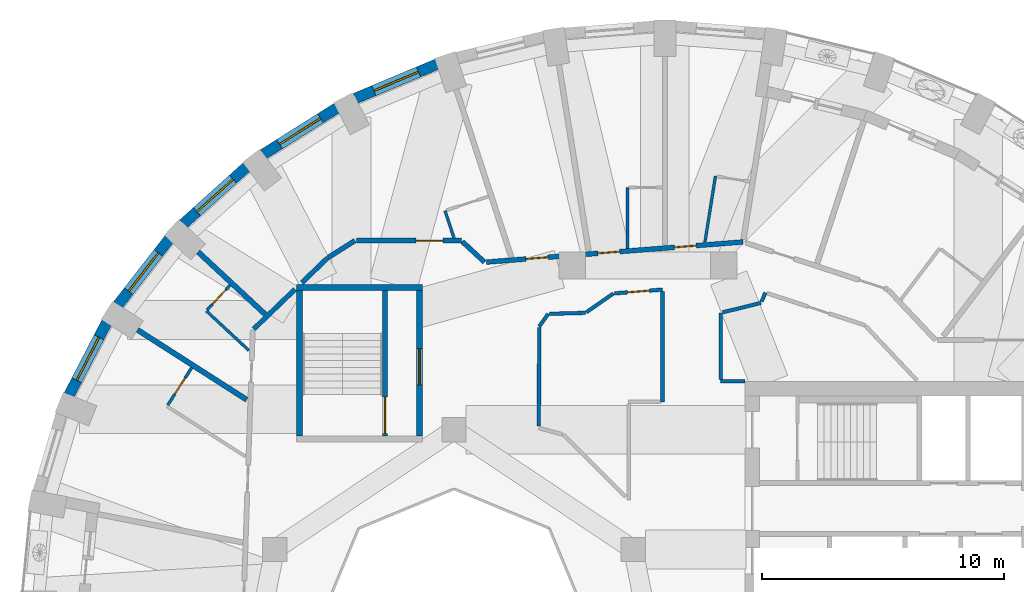
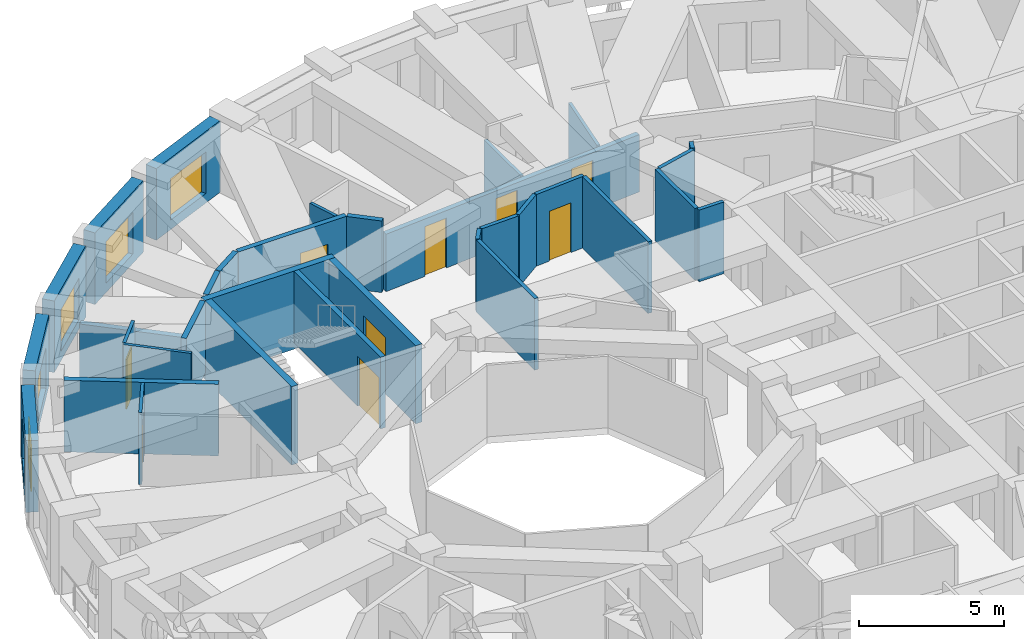
# One storey, part 7 of 12: 33 walls, 9 doors, 5 windows, 14 openings.
"""IFC4 building model written with IfcOpenShell, lengths in metres."""

from ifc_helpers import new_model, si_unit, direction, frame, frame_2d, origin, place, context, subcontext, project, spatial, rectangle, extrude, material, layer, layer_set, type_object, element, fill, save


model = new_model("IFC4")

# Units and contexts
model_context = context("Model", 3, precision=1e-05, world=origin(), true_north=direction((0.0, 1.0)))
body_context = subcontext(model_context, "Body", "Model", "MODEL_VIEW")
ifc_project = project(units=[si_unit("LENGTHUNIT", "METRE"), si_unit("AREAUNIT", "SQUARE_METRE"), si_unit("VOLUMEUNIT", "CUBIC_METRE"), si_unit("PLANEANGLEUNIT", "RADIAN"), si_unit("MASSUNIT", "GRAM", prefix="KILO")], contexts=[model_context])

# Site, building, storey
site_placement = place(None, origin())
site = spatial("IfcSite", under=ifc_project, at=site_placement, CompositionType="ELEMENT")
building_placement = place(site_placement, origin())
building = spatial("IfcBuilding", under=site, at=building_placement, Name="Taillehof Tower", CompositionType="ELEMENT")
storey_placement = place(building_placement, frame((0.0, 0.0, 189.199951171875)))
storey = spatial("IfcBuildingStorey", under=building, at=storey_placement, Name="L53", CompositionType="ELEMENT", Elevation=189.199951171875)

# Wall, opening, window
ifc_material_1 = material(Name="Brick masonry", Category="masonry")
ifc_layer_1 = layer(ifc_material_1, 0.449951171875)
ifc_layer_set_1 = layer_set([ifc_layer_1], Name="Brick infill wall 450")
wall_type_1 = type_object("IfcWallType", Name="Brick infill wall 450", PredefinedType="SOLIDWALL", material=ifc_layer_set_1)
wall_1_placement = place(storey_placement, frame((-8.70263671875, 23.0791015625, 0.0), z_axis=(0.0, 0.0, 1.0), x_axis=(-0.922168222612, -0.386789050006, 0.0)))
wall_1 = element("IfcWall", 1, at=wall_1_placement, inside=storey, type_object=wall_type_1, Name="Brick wall L53 bay 12", PredefinedType="SOLIDWALL", context=body_context, shape_type="SweptSolid", body=[
    extrude(rectangle(XDim=3.65087890625, YDim=0.449951171875, at=frame_2d((1.825439453125, 0.0))), origin(), (0.0, 0.0, 1.0), 3.02001953125),
])
opening_1_placement = place(wall_1_placement, frame((0.825439453125, 0.0, 0.39990234375)))
opening_1 = element("IfcOpeningElement", 2, at=opening_1_placement, cuts=wall_1, Name="Opening W2", PredefinedType="OPENING", context=body_context, shape_type="SweptSolid", body=[
    extrude(rectangle(XDim=2.0, YDim=1.75, at=frame_2d((1.0, 0.875))), frame((0.0, 0.23486328125, 0.0), z_axis=(0.0, -1.0, 0.0), x_axis=(1.0, 0.0, 0.0)), (0.0, 0.0, 1.0), 0.469970703125),
])
ifc_material_2 = material(Name="Aluminium window frame with clear double glazing", Category="aluminium")
window_type = type_object("IfcWindowType", Name="Deep-set window 2000x1750", PartitioningType="SINGLE_PANEL", PredefinedType="WINDOW", material=ifc_material_2)
window_1_placement = place(opening_1_placement, origin())
window_1 = element("IfcWindow", 3, at=window_1_placement, inside=storey, type_object=window_type, Name="W2", OverallHeight=1.75, OverallWidth=2.0, PartitioningType="SINGLE_PANEL", PredefinedType="WINDOW", context=body_context, shape_type="SweptSolid", body=[
    extrude(rectangle(XDim=2.0, YDim=1.75, at=frame_2d((1.0, 0.875))), frame((0.0, 0.034912109375, 0.0), z_axis=(0.0, -1.0, 0.0), x_axis=(1.0, 0.0, 0.0)), (0.0, 0.0, 1.0), 0.06005859375),
])
fill(opening_1, window_1)

wall_2_placement = place(storey_placement, frame((-12.832275390625, 21.27001953125, 0.0), z_axis=(0.0, 0.0, 1.0), x_axis=(-0.846138482752, -0.532963101918, 0.0)))
wall_2 = element("IfcWall", 4, at=wall_2_placement, inside=storey, type_object=wall_type_1, Name="Brick wall L53 bay 13", PredefinedType="SOLIDWALL", context=body_context, shape_type="SweptSolid", body=[
    extrude(rectangle(XDim=3.586669921875, YDim=0.449951171875, at=frame_2d((1.79345703125, 0.0))), origin(), (0.0, 0.0, 1.0), 3.02001953125),
])
opening_2_placement = place(wall_2_placement, frame((0.79345703125, 0.0, 0.39990234375)))
opening_2 = element("IfcOpeningElement", 5, at=opening_2_placement, cuts=wall_2, Name="Opening W2", PredefinedType="OPENING", context=body_context, shape_type="SweptSolid", body=[
    extrude(rectangle(XDim=2.0, YDim=1.75, at=frame_2d((1.0, 0.875))), frame((0.0, 0.23486328125, 0.0), z_axis=(0.0, -1.0, 0.0), x_axis=(1.0, 0.0, 0.0)), (0.0, 0.0, 1.0), 0.469970703125),
])
window_2_placement = place(opening_2_placement, origin())
window_2 = element("IfcWindow", 6, at=window_2_placement, inside=storey, type_object=window_type, Name="W2", OverallHeight=1.75, OverallWidth=2.0, PartitioningType="SINGLE_PANEL", PredefinedType="WINDOW", context=body_context, shape_type="SweptSolid", body=[
    extrude(rectangle(XDim=2.0, YDim=1.75, at=frame_2d((1.0, 0.875))), frame((0.0, 0.034912109375, 0.0), z_axis=(0.0, -1.0, 0.0), x_axis=(1.0, 0.0, 0.0)), (0.0, 0.0, 1.0), 0.06005859375),
])
fill(opening_2, window_2)

wall_3_placement = place(storey_placement, frame((-16.553466796875, 18.83984375, 0.0), z_axis=(0.0, 0.0, 1.0), x_axis=(-0.743442727602, -0.668799604348, 0.0)))
wall_3 = element("IfcWall", 7, at=wall_3_placement, inside=storey, type_object=wall_type_1, Name="Brick wall L53 bay 14", PredefinedType="SOLIDWALL", context=body_context, shape_type="SweptSolid", body=[
    extrude(rectangle(XDim=3.5126953125, YDim=0.449951171875, at=frame_2d((1.75634765625, 0.0))), origin(), (0.0, 0.0, 1.0), 3.02001953125),
])
opening_3_placement = place(wall_3_placement, frame((0.75634765625, 0.0, 0.39990234375)))
opening_3 = element("IfcOpeningElement", 8, at=opening_3_placement, cuts=wall_3, Name="Opening W2", PredefinedType="OPENING", context=body_context, shape_type="SweptSolid", body=[
    extrude(rectangle(XDim=2.0, YDim=1.75, at=frame_2d((1.0, 0.875))), frame((0.0, 0.23486328125, 0.0), z_axis=(0.0, -1.0, 0.0), x_axis=(1.0, 0.0, 0.0)), (0.0, 0.0, 1.0), 0.469970703125),
])
window_3_placement = place(opening_3_placement, origin())
window_3 = element("IfcWindow", 9, at=window_3_placement, inside=storey, type_object=window_type, Name="W2", OverallHeight=1.75, OverallWidth=2.0, PartitioningType="SINGLE_PANEL", PredefinedType="WINDOW", context=body_context, shape_type="SweptSolid", body=[
    extrude(rectangle(XDim=2.0, YDim=1.75, at=frame_2d((1.0, 0.875))), frame((0.0, 0.034912109375, 0.0), z_axis=(0.0, -1.0, 0.0), x_axis=(1.0, 0.0, 0.0)), (0.0, 0.0, 1.0), 0.06005859375),
])
fill(opening_3, window_3)

wall_4_placement = place(storey_placement, frame((-19.751220703125, 15.861083984375, 0.0), z_axis=(0.0, 0.0, 1.0), x_axis=(-0.614220816451, -0.789134201919, 0.0)))
wall_4 = element("IfcWall", 10, at=wall_4_placement, inside=storey, type_object=wall_type_1, Name="Brick wall L53 bay 15", PredefinedType="SOLIDWALL", context=body_context, shape_type="SweptSolid", body=[
    extrude(rectangle(XDim=3.437744140625, YDim=0.449951171875, at=frame_2d((1.71875, 0.0))), origin(), (0.0, 0.0, 1.0), 3.02001953125),
])
opening_4_placement = place(wall_4_placement, frame((0.71875, 0.0, 0.39990234375)))
opening_4 = element("IfcOpeningElement", 11, at=opening_4_placement, cuts=wall_4, Name="Opening W2", PredefinedType="OPENING", context=body_context, shape_type="SweptSolid", body=[
    extrude(rectangle(XDim=2.0, YDim=1.75, at=frame_2d((1.0, 0.875))), frame((0.0, 0.23486328125, 0.0), z_axis=(0.0, -1.0, 0.0), x_axis=(1.0, 0.0, 0.0)), (0.0, 0.0, 1.0), 0.469970703125),
])
window_4_placement = place(opening_4_placement, origin())
window_4 = element("IfcWindow", 12, at=window_4_placement, inside=storey, type_object=window_type, Name="W2", OverallHeight=1.75, OverallWidth=2.0, PartitioningType="SINGLE_PANEL", PredefinedType="WINDOW", context=body_context, shape_type="SweptSolid", body=[
    extrude(rectangle(XDim=2.0, YDim=1.75, at=frame_2d((1.0, 0.875))), frame((0.0, 0.034912109375, 0.0), z_axis=(0.0, -1.0, 0.0), x_axis=(1.0, 0.0, 0.0)), (0.0, 0.0, 1.0), 0.06005859375),
])
fill(opening_4, window_4)

wall_5_placement = place(storey_placement, frame((-22.326904296875, 12.424072265625, 0.0), z_axis=(0.0, 0.0, 1.0), x_axis=(-0.460232593174, -0.887798378113, 0.0)))
wall_5 = element("IfcWall", 13, at=wall_5_placement, inside=storey, type_object=wall_type_1, Name="Brick wall L53 bay 16", PredefinedType="SOLIDWALL", context=body_context, shape_type="SweptSolid", body=[
    extrude(rectangle(XDim=3.37060546875, YDim=0.449951171875, at=frame_2d((1.685302734375, 0.0))), origin(), (0.0, 0.0, 1.0), 3.02001953125),
])
opening_5_placement = place(wall_5_placement, frame((0.685302734375, 0.0, 0.39990234375)))
opening_5 = element("IfcOpeningElement", 14, at=opening_5_placement, cuts=wall_5, Name="Opening W2", PredefinedType="OPENING", context=body_context, shape_type="SweptSolid", body=[
    extrude(rectangle(XDim=2.0, YDim=1.75, at=frame_2d((1.0, 0.875))), frame((0.0, 0.23486328125, 0.0), z_axis=(0.0, -1.0, 0.0), x_axis=(1.0, 0.0, 0.0)), (0.0, 0.0, 1.0), 0.469970703125),
])
window_5_placement = place(opening_5_placement, origin())
window_5 = element("IfcWindow", 15, at=window_5_placement, inside=storey, type_object=window_type, Name="W2", OverallHeight=1.75, OverallWidth=2.0, PartitioningType="SINGLE_PANEL", PredefinedType="WINDOW", context=body_context, shape_type="SweptSolid", body=[
    extrude(rectangle(XDim=2.0, YDim=1.75, at=frame_2d((1.0, 0.875))), frame((0.0, 0.034912109375, 0.0), z_axis=(0.0, -1.0, 0.0), x_axis=(1.0, 0.0, 0.0)), (0.0, 0.0, 1.0), 0.06005859375),
])
fill(opening_5, window_5)

# Walls
ifc_material_3 = material(Name="Gypsum board on steel studs, two layers each side", Category="steel")
ifc_layer_2 = layer(ifc_material_3, 0.199951171875)
ifc_layer_set_2 = layer_set([ifc_layer_2], Name="Compartment wall corridor 200")
wall_type_2 = type_object("IfcWallType", Name="Compartment wall corridor 200", PredefinedType="PARTITIONING", material=ifc_layer_set_2)
wall_6_placement = place(storey_placement, frame((-16.2568359375, 12.15673828125, 0.0), z_axis=(0.0, 0.0, 1.0), x_axis=(0.720356671174, 0.693603825174, 0.0)))
element("IfcWall", 16, at=wall_6_placement, inside=storey, type_object=wall_type_2, Name="Compartment wall", PredefinedType="PARTITIONING", context=body_context, shape_type="SweptSolid", body=[
    extrude(rectangle(XDim=2.3544921875, YDim=0.199951171875, at=frame_2d((1.17724609375, 0.0))), origin(), (0.0, 0.0, 1.0), 3.02001953125),
])
wall_7_placement = place(storey_placement, frame((-14.27783203125, 14.062255859375, 0.0), z_axis=(0.0, 0.0, 1.0), x_axis=(0.720213092954, 0.693752910435, 0.0)))
element("IfcWall", 17, at=wall_7_placement, inside=storey, type_object=wall_type_2, Name="Compartment wall", PredefinedType="PARTITIONING", context=body_context, shape_type="SweptSolid", body=[
    extrude(rectangle(XDim=1.476318359375, YDim=0.199951171875, at=frame_2d((0.73828125, 0.0))), origin(), (0.0, 0.0, 1.0), 3.02001953125),
])
wall_8_placement = place(storey_placement, frame((-13.19775390625, 15.09716796875, 0.0), z_axis=(0.0, 0.0, 1.0), x_axis=(0.845466863805, 0.534027885234, 0.0)))
element("IfcWall", 18, at=wall_8_placement, inside=storey, type_object=wall_type_2, Name="Compartment wall", PredefinedType="PARTITIONING", context=body_context, shape_type="SweptSolid", body=[
    extrude(rectangle(XDim=1.316162109375, YDim=0.199951171875, at=frame_2d((0.658203125, 0.0))), origin(), (0.0, 0.0, 1.0), 3.02001953125),
])

# Wall, opening, door
wall_9_placement = place(storey_placement, frame((-12.02490234375, 15.800048828125, 0.0), z_axis=(0.0, 0.0, 1.0), x_axis=(1.0, 0.0, 0.0)))
wall_9 = element("IfcWall", 19, at=wall_9_placement, inside=storey, type_object=wall_type_2, Name="Compartment wall", PredefinedType="PARTITIONING", context=body_context, shape_type="SweptSolid", body=[
    extrude(rectangle(XDim=4.324951171875, YDim=0.199951171875, at=frame_2d((2.16259765625, 0.0))), origin(), (0.0, 0.0, 1.0), 3.02001953125),
])
opening_6_placement = place(wall_9_placement, frame((2.46142578125, 0.0, 0.0)))
opening_6 = element("IfcOpeningElement", 20, at=opening_6_placement, cuts=wall_9, Name="Opening D5348", PredefinedType="OPENING", context=body_context, shape_type="SweptSolid", body=[
    extrude(rectangle(XDim=1.10009765625, YDim=2.10009765625, at=frame_2d((0.550048828125, 1.050048828125))), frame((0.0, 0.10986328125, 0.0), z_axis=(0.0, -1.0, 0.0), x_axis=(1.0, 0.0, 0.0)), (0.0, 0.0, 1.0), 0.219970703125),
])
ifc_material_4 = material(Name="Timber door leaf in steel frame", Category="steel")
door_type_1 = type_object("IfcDoorType", Name="Suite entrance door EI 30 1100 x 2100", OperationType="SINGLE_SWING_LEFT", PredefinedType="DOOR", material=ifc_material_4)
door_1_placement = place(opening_6_placement, origin())
door_1 = element("IfcDoor", 21, at=door_1_placement, inside=storey, type_object=door_type_1, Name="D5348", OperationType="SINGLE_SWING_RIGHT", OverallHeight=2.10009765625, OverallWidth=1.10009765625, PredefinedType="DOOR", context=body_context, shape_type="SweptSolid", body=[
    extrude(rectangle(XDim=1.10009765625, YDim=2.10009765625, at=frame_2d((0.550048828125, 1.050048828125))), frame((0.0, 0.02490234375, 0.0), z_axis=(0.0, -1.0, 0.0), x_axis=(1.0, 0.0, 0.0)), (0.0, 0.0, 1.0), 0.050048828125),
])
fill(opening_6, door_1)

# Wall
wall_10_placement = place(storey_placement, frame((-7.656005859375, 15.759033203125, 0.0), z_axis=(0.0, 0.0, 1.0), x_axis=(0.734444455547, -0.678668801196, 0.0)))
element("IfcWall", 22, at=wall_10_placement, inside=storey, type_object=wall_type_2, Name="Compartment wall", PredefinedType="PARTITIONING", context=body_context, shape_type="SweptSolid", body=[
    extrude(rectangle(XDim=1.251953125, YDim=0.199951171875, at=frame_2d((0.6259765625, 0.0))), origin(), (0.0, 0.0, 1.0), 3.02001953125),
])

# Wall, openings, doors
wall_11_placement = place(storey_placement, frame((-6.656494140625, 14.915283203125, 0.0), z_axis=(0.0, 0.0, 1.0), x_axis=(0.99693112817, 0.07828362335, 0.0)))
wall_11 = element("IfcWall", 23, at=wall_11_placement, inside=storey, type_object=wall_type_2, Name="Compartment wall", PredefinedType="PARTITIONING", context=body_context, shape_type="SweptSolid", body=[
    extrude(rectangle(XDim=10.609619140625, YDim=0.199951171875, at=frame_2d((5.3046875, 0.0))), origin(), (0.0, 0.0, 1.0), 2.420166015625),
])
opening_7_placement = place(wall_11_placement, frame((7.773193359375, 0.0, 0.0)))
opening_7 = element("IfcOpeningElement", 24, at=opening_7_placement, cuts=wall_11, Name="Opening D5343", PredefinedType="OPENING", context=body_context, shape_type="SweptSolid", body=[
    extrude(rectangle(XDim=0.89990234375, YDim=2.10009765625, at=frame_2d((0.449951171875, 1.050048828125))), frame((0.0, 0.10986328125, 0.0), z_axis=(0.0, -1.0, 0.0), x_axis=(1.0, 0.0, 0.0)), (0.0, 0.0, 1.0), 0.219970703125),
])
opening_8_placement = place(wall_11_placement, frame((4.607666015625, 0.0, 0.0)))
opening_8 = element("IfcOpeningElement", 25, at=opening_8_placement, cuts=wall_11, Name="Opening D5345", PredefinedType="OPENING", context=body_context, shape_type="SweptSolid", body=[
    extrude(rectangle(XDim=0.89990234375, YDim=2.10009765625, at=frame_2d((0.449951171875, 1.050048828125))), frame((0.0, 0.10986328125, 0.0), z_axis=(0.0, -1.0, 0.0), x_axis=(1.0, 0.0, 0.0)), (0.0, 0.0, 1.0), 0.219970703125),
])
opening_9_placement = place(wall_11_placement, frame((1.6318359375, 0.0, 0.0)))
opening_9 = element("IfcOpeningElement", 26, at=opening_9_placement, cuts=wall_11, Name="Opening D5347", PredefinedType="OPENING", context=body_context, shape_type="SweptSolid", body=[
    extrude(rectangle(XDim=0.89990234375, YDim=2.10009765625, at=frame_2d((0.449951171875, 1.050048828125))), frame((0.0, 0.10986328125, 0.0), z_axis=(0.0, -1.0, 0.0), x_axis=(1.0, 0.0, 0.0)), (0.0, 0.0, 1.0), 0.219970703125),
])
ifc_material_5 = material(Name="Timber door leaf in steel frame", Category="steel")
door_type_2 = type_object("IfcDoorType", Name="Guest room door EI 30 900 x 2100", OperationType="SINGLE_SWING_LEFT", PredefinedType="DOOR", material=ifc_material_5)
door_2_placement = place(opening_7_placement, origin())
door_2 = element("IfcDoor", 27, at=door_2_placement, inside=storey, type_object=door_type_2, Name="D5343", OperationType="SINGLE_SWING_RIGHT", OverallHeight=2.10009765625, OverallWidth=0.89990234375, PredefinedType="DOOR", context=body_context, shape_type="SweptSolid", body=[
    extrude(rectangle(XDim=0.89990234375, YDim=2.10009765625, at=frame_2d((0.449951171875, 1.050048828125))), frame((0.0, 0.02490234375, 0.0), z_axis=(0.0, -1.0, 0.0), x_axis=(1.0, 0.0, 0.0)), (0.0, 0.0, 1.0), 0.050048828125),
])
fill(opening_7, door_2)
door_3_placement = place(opening_8_placement, origin())
door_3 = element("IfcDoor", 28, at=door_3_placement, inside=storey, type_object=door_type_2, Name="D5345", OperationType="SINGLE_SWING_RIGHT", OverallHeight=2.10009765625, OverallWidth=0.89990234375, PredefinedType="DOOR", context=body_context, shape_type="SweptSolid", body=[
    extrude(rectangle(XDim=0.89990234375, YDim=2.10009765625, at=frame_2d((0.449951171875, 1.050048828125))), frame((0.0, 0.02490234375, 0.0), z_axis=(0.0, -1.0, 0.0), x_axis=(1.0, 0.0, 0.0)), (0.0, 0.0, 1.0), 0.050048828125),
])
fill(opening_8, door_3)
ifc_material_6 = material(Name="Timber door leaf in steel frame", Category="steel")
door_type_3 = type_object("IfcDoorType", Name="Service room door EI 30 900 x 2100", OperationType="SINGLE_SWING_LEFT", PredefinedType="DOOR", material=ifc_material_6)
door_4_placement = place(opening_9_placement, origin())
door_4 = element("IfcDoor", 29, at=door_4_placement, inside=storey, type_object=door_type_3, Name="D5347", OperationType="SINGLE_SWING_LEFT", OverallHeight=2.10009765625, OverallWidth=0.89990234375, PredefinedType="DOOR", context=body_context, shape_type="SweptSolid", body=[
    extrude(rectangle(XDim=0.89990234375, YDim=2.10009765625, at=frame_2d((0.449951171875, 1.050048828125))), frame((0.0, 0.02490234375, 0.0), z_axis=(0.0, -1.0, 0.0), x_axis=(1.0, 0.0, 0.0)), (0.0, 0.0, 1.0), 0.050048828125),
])
fill(opening_9, door_4)

# Walls
ifc_material_7 = material(Name="Gypsum board on double steel studs with mineral wool", Category="steel")
ifc_layer_3 = layer(ifc_material_7, 0.219970703125)
ifc_layer_set_3 = layer_set([ifc_layer_3], Name="Compartment wall guest room 220")
wall_type_3 = type_object("IfcWallType", Name="Compartment wall guest room 220", PredefinedType="PARTITIONING", material=ifc_layer_set_3)
wall_12_placement = place(storey_placement, frame((-18.552978515625, 15.333984375, 0.0), z_axis=(0.0, 0.0, 1.0), x_axis=(0.732303975018, -0.680977891105, 0.0)))
element("IfcWall", 30, at=wall_12_placement, inside=storey, type_object=wall_type_3, Name="Compartment wall", PredefinedType="PARTITIONING", context=body_context, shape_type="SweptSolid", body=[
    extrude(rectangle(XDim=3.767333984375, YDim=0.219970703125, at=frame_2d((1.8837890625, 0.0))), origin(), (0.0, 0.0, 1.0), 2.570068359375),
])
wall_13_placement = place(storey_placement, frame((-21.054931640625, 12.120849609375, 0.0), z_axis=(0.0, 0.0, 1.0), x_axis=(0.842281345898, -0.539038156675, 0.0)))
element("IfcWall", 31, at=wall_13_placement, inside=storey, type_object=wall_type_3, Name="Compartment wall", PredefinedType="PARTITIONING", context=body_context, shape_type="SweptSolid", body=[
    extrude(rectangle(XDim=5.349853515625, YDim=0.219970703125, at=frame_2d((2.6748046875, 0.0))), origin(), (0.0, 0.0, 1.0), 3.02001953125),
])
ifc_material_8 = material(Name="Gypsum board on steel studs, two layers each side", Category="steel")
ifc_layer_4 = layer(ifc_material_8, 0.14990234375)
ifc_layer_set_4 = layer_set([ifc_layer_4], Name="Compartment wall service room 150")
wall_type_4 = type_object("IfcWallType", Name="Compartment wall service room 150", PredefinedType="PARTITIONING", material=ifc_layer_set_4)
wall_14_placement = place(storey_placement, frame((4.0009765625, 10.0, 0.0), z_axis=(0.0, 0.0, 1.0), x_axis=(-1.0, 0.0, 0.0)))
element("IfcWall", 32, at=wall_14_placement, inside=storey, type_object=wall_type_4, Name="Compartment wall", PredefinedType="PARTITIONING", context=body_context, shape_type="SweptSolid", body=[
    extrude(rectangle(XDim=1.0009765625, YDim=0.14990234375, at=frame_2d((0.50048828125, 0.0))), origin(), (0.0, 0.0, 1.0), 3.02001953125),
])
wall_15_placement = place(storey_placement, frame((3.0, 10.080078125, 0.0), z_axis=(0.0, 0.0, 1.0), x_axis=(0.0, 1.0, 0.0)))
element("IfcWall", 33, at=wall_15_placement, inside=storey, type_object=wall_type_4, Name="Compartment wall", PredefinedType="PARTITIONING", context=body_context, shape_type="SweptSolid", body=[
    extrude(rectangle(XDim=2.741943359375, YDim=0.14990234375, at=frame_2d((1.37109375, 0.0))), origin(), (0.0, 0.0, 1.0), 3.02001953125),
])
wall_16_placement = place(storey_placement, frame((3.078125, 12.841552734375, 0.0), z_axis=(0.0, 0.0, 1.0), x_axis=(0.9710404657, 0.238915076906, 0.0)))
element("IfcWall", 34, at=wall_16_placement, inside=storey, type_object=wall_type_4, Name="Compartment wall", PredefinedType="PARTITIONING", context=body_context, shape_type="SweptSolid", body=[
    extrude(rectangle(XDim=1.635009765625, YDim=0.14990234375, at=frame_2d((0.8173828125, 0.0))), origin(), (0.0, 0.0, 1.0), 3.02001953125),
])
wall_17_placement = place(storey_placement, frame((4.6884765625, 13.287841796875, 0.0), z_axis=(0.0, 0.0, 1.0), x_axis=(0.38330857492, 0.923620342128, 0.0)))
element("IfcWall", 35, at=wall_17_placement, inside=storey, type_object=wall_type_4, Name="Compartment wall", PredefinedType="PARTITIONING", context=body_context, shape_type="SweptSolid", body=[
    extrude(rectangle(XDim=0.398193359375, YDim=0.14990234375, at=frame_2d((0.19921875, 0.0))), origin(), (0.0, 0.0, 1.0), 3.02001953125),
])
wall_18_placement = place(storey_placement, frame((-4.487060546875, 12.257568359375, 0.0), z_axis=(0.0, 0.0, 1.0), x_axis=(0.582280364551, 0.812988054684, 0.0)))
element("IfcWall", 36, at=wall_18_placement, inside=storey, type_object=wall_type_4, Name="Compartment wall", PredefinedType="PARTITIONING", context=body_context, shape_type="SweptSolid", body=[
    extrude(rectangle(XDim=0.642333984375, YDim=0.14990234375, at=frame_2d((0.3212890625, 0.0))), origin(), (0.0, 0.0, 1.0), 3.02001953125),
])
wall_19_placement = place(storey_placement, frame((-4.052978515625, 12.78125, 0.0), z_axis=(0.0, 0.0, 1.0), x_axis=(0.999619372091, 0.027588239157, 0.0)))
element("IfcWall", 37, at=wall_19_placement, inside=storey, type_object=wall_type_4, Name="Compartment wall", PredefinedType="PARTITIONING", context=body_context, shape_type="SweptSolid", body=[
    extrude(rectangle(XDim=1.477783203125, YDim=0.14990234375, at=frame_2d((0.73876953125, 0.0))), origin(), (0.0, 0.0, 1.0), 3.02001953125),
])
wall_20_placement = place(storey_placement, frame((-2.54296875, 12.844970703125, 0.0), z_axis=(0.0, 0.0, 1.0), x_axis=(0.821558970312, 0.570123546523, 0.0)))
element("IfcWall", 38, at=wall_20_placement, inside=storey, type_object=wall_type_4, Name="Compartment wall", PredefinedType="PARTITIONING", context=body_context, shape_type="SweptSolid", body=[
    extrude(rectangle(XDim=1.361328125, YDim=0.14990234375, at=frame_2d((0.6806640625, 0.0))), origin(), (0.0, 0.0, 1.0), 3.02001953125),
])

# Wall, opening, door
wall_21_placement = place(storey_placement, frame((-1.384521484375, 13.6240234375, 0.0), z_axis=(0.0, 0.0, 1.0), x_axis=(0.996924678821, 0.078365711621, 0.0)))
wall_21 = element("IfcWall", 39, at=wall_21_placement, inside=storey, type_object=wall_type_4, Name="Compartment wall", PredefinedType="PARTITIONING", context=body_context, shape_type="SweptSolid", body=[
    extrude(rectangle(XDim=1.99072265625, YDim=0.14990234375, at=frame_2d((0.995361328125, 0.0))), origin(), (0.0, 0.0, 1.0), 3.02001953125),
])
opening_10_placement = place(wall_21_placement, frame((0.54541015625, 0.0, 0.0)))
opening_10 = element("IfcOpeningElement", 40, at=opening_10_placement, cuts=wall_21, Name="Opening D5372", PredefinedType="OPENING", context=body_context, shape_type="SweptSolid", body=[
    extrude(rectangle(XDim=0.89990234375, YDim=2.10009765625, at=frame_2d((0.449951171875, 1.050048828125))), frame((0.0, 0.0849609375, 0.0), z_axis=(0.0, -1.0, 0.0), x_axis=(1.0, 0.0, 0.0)), (0.0, 0.0, 1.0), 0.169921875),
])
door_5_placement = place(opening_10_placement, origin())
door_5 = element("IfcDoor", 41, at=door_5_placement, inside=storey, type_object=door_type_3, Name="D5372", OperationType="SINGLE_SWING_RIGHT", OverallHeight=2.10009765625, OverallWidth=0.89990234375, PredefinedType="DOOR", context=body_context, shape_type="SweptSolid", body=[
    extrude(rectangle(XDim=0.89990234375, YDim=2.10009765625, at=frame_2d((0.449951171875, 1.050048828125))), frame((0.0, 0.02490234375, 0.0), z_axis=(0.0, -1.0, 0.0), x_axis=(1.0, 0.0, 0.0)), (0.0, 0.0, 1.0), 0.050048828125),
])
fill(opening_10, door_5)

# Walls
wall_22_placement = place(storey_placement, frame((0.60009765625, 13.699951171875, 0.0), z_axis=(0.0, 0.0, 1.0), x_axis=(0.0, -1.0, 0.0)))
element("IfcWall", 42, at=wall_22_placement, inside=storey, type_object=wall_type_4, Name="Compartment wall", PredefinedType="PARTITIONING", context=body_context, shape_type="SweptSolid", body=[
    extrude(rectangle(XDim=4.550048828125, YDim=0.14990234375, at=frame_2d((2.27490234375, 0.0))), origin(), (0.0, 0.0, 1.0), 3.02001953125),
])
wall_23_placement = place(storey_placement, frame((-4.5, 8.149169921875, 0.0), z_axis=(0.0, 0.0, 1.0), x_axis=(0.003180492795, 0.99999494222, 0.0)))
element("IfcWall", 43, at=wall_23_placement, inside=storey, type_object=wall_type_4, Name="Compartment wall", PredefinedType="PARTITIONING", context=body_context, shape_type="SweptSolid", body=[
    extrude(rectangle(XDim=4.068359375, YDim=0.14990234375, at=frame_2d((2.0341796875, 0.0))), origin(), (0.0, 0.0, 1.0), 3.02001953125),
])
ifc_material_9 = material(Name="Gypsum board on steel studs, moisture resistant", Category="steel")
ifc_layer_5 = layer(ifc_material_9, 0.1201171875)
ifc_layer_set_5 = layer_set([ifc_layer_5], Name="En-suite wall 120")
wall_type_5 = type_object("IfcWallType", Name="En-suite wall 120", PredefinedType="PARTITIONING", material=ifc_layer_set_5)
wall_24_placement = place(storey_placement, frame((2.3505859375, 15.742431640625, 0.0), z_axis=(0.0, 0.0, 1.0), x_axis=(0.15712488734, 0.987578741052, 0.0)))
element("IfcWall", 44, at=wall_24_placement, inside=storey, type_object=wall_type_5, Name="En-suite wall", PredefinedType="PARTITIONING", context=body_context, shape_type="SweptSolid", body=[
    extrude(rectangle(XDim=2.750244140625, YDim=0.1201171875, at=frame_2d((1.375, 0.0))), origin(), (0.0, 0.0, 1.0), 2.469970703125),
])
wall_25_placement = place(storey_placement, frame((-0.85009765625, 15.4716796875, 0.0), z_axis=(0.0, 0.0, 1.0), x_axis=(0.0, 1.0, 0.0)))
element("IfcWall", 45, at=wall_25_placement, inside=storey, type_object=wall_type_5, Name="En-suite wall", PredefinedType="PARTITIONING", context=body_context, shape_type="SweptSolid", body=[
    extrude(rectangle(XDim=2.521484375, YDim=0.1201171875, at=frame_2d((1.2607421875, 0.0))), origin(), (0.0, 0.0, 1.0), 2.469970703125),
])
wall_26_placement = place(storey_placement, frame((-8.00390625, 15.919189453125, 0.0), z_axis=(0.0, 0.0, 1.0), x_axis=(-0.31198444573, 0.950087209483, 0.0)))
element("IfcWall", 46, at=wall_26_placement, inside=storey, type_object=wall_type_5, Name="En-suite wall", PredefinedType="PARTITIONING", context=body_context, shape_type="SweptSolid", body=[
    extrude(rectangle(XDim=1.174560546875, YDim=0.1201171875, at=frame_2d((0.58740234375, 0.0))), origin(), (0.0, 0.0, 1.0), 3.02001953125),
])
wall_27_placement = place(storey_placement, frame((-16.458740234375, 11.269775390625, 0.0), z_axis=(0.0, 0.0, 1.0), x_axis=(-0.732311710068, 0.68096957296, 0.0)))
element("IfcWall", 47, at=wall_27_placement, inside=storey, type_object=wall_type_5, Name="En-suite wall", PredefinedType="PARTITIONING", context=body_context, shape_type="SweptSolid", body=[
    extrude(rectangle(XDim=2.4013671875, YDim=0.1201171875, at=frame_2d((1.20068359375, 0.0))), origin(), (0.0, 0.0, 1.0), 3.02001953125),
])

# Wall, opening, door
wall_28_placement = place(storey_placement, frame((-18.176513671875, 12.948974609375, 0.0), z_axis=(0.0, 0.0, 1.0), x_axis=(0.681081886823, 0.732207254431, 0.0)))
wall_28 = element("IfcWall", 48, at=wall_28_placement, inside=storey, type_object=wall_type_5, Name="En-suite wall", PredefinedType="PARTITIONING", context=body_context, shape_type="SweptSolid", body=[
    extrude(rectangle(XDim=1.380126953125, YDim=0.1201171875, at=frame_2d((0.68994140625, 0.0))), origin(), (0.0, 0.0, 1.0), 3.02001953125),
])
opening_11_placement = place(wall_28_placement, frame((0.315185546875, 0.0, 0.0)))
opening_11 = element("IfcOpeningElement", 49, at=opening_11_placement, cuts=wall_28, Name="Opening D5351", PredefinedType="OPENING", context=body_context, shape_type="SweptSolid", body=[
    extrude(rectangle(XDim=0.800048828125, YDim=2.10009765625, at=frame_2d((0.39990234375, 1.050048828125))), frame((0.0, 0.070068359375, 0.0), z_axis=(0.0, -1.0, 0.0), x_axis=(1.0, 0.0, 0.0)), (0.0, 0.0, 1.0), 0.14013671875),
])
ifc_material_10 = material(Name="Timber door leaf in steel frame", Category="steel")
door_type_4 = type_object("IfcDoorType", Name="En-suite door 800 x 2100", OperationType="SINGLE_SWING_LEFT", PredefinedType="DOOR", material=ifc_material_10)
door_6_placement = place(opening_11_placement, origin())
door_6 = element("IfcDoor", 50, at=door_6_placement, inside=storey, type_object=door_type_4, Name="D5351", OperationType="SINGLE_SWING_RIGHT", OverallHeight=2.10009765625, OverallWidth=0.800048828125, PredefinedType="DOOR", context=body_context, shape_type="SweptSolid", body=[
    extrude(rectangle(XDim=0.800048828125, YDim=2.10009765625, at=frame_2d((0.39990234375, 1.050048828125))), frame((0.0, 0.02490234375, 0.0), z_axis=(0.0, -1.0, 0.0), x_axis=(1.0, 0.0, 0.0)), (0.0, 0.0, 1.0), 0.050048828125),
])
fill(opening_11, door_6)

wall_29_placement = place(storey_placement, frame((-19.804443359375, 9.017333984375, 0.0), z_axis=(0.0, 0.0, 1.0), x_axis=(0.538962837458, 0.842329543492, 0.0)))
wall_29 = element("IfcWall", 51, at=wall_29_placement, inside=storey, type_object=wall_type_5, Name="En-suite wall", PredefinedType="PARTITIONING", context=body_context, shape_type="SweptSolid", body=[
    extrude(rectangle(XDim=1.830078125, YDim=0.1201171875, at=frame_2d((0.9150390625, 0.0))), origin(), (0.0, 0.0, 1.0), 3.02001953125),
])
opening_12_placement = place(wall_29_placement, frame((0.5400390625, 0.0, 0.0)))
opening_12 = element("IfcOpeningElement", 52, at=opening_12_placement, cuts=wall_29, Name="Opening D5353", PredefinedType="OPENING", context=body_context, shape_type="SweptSolid", body=[
    extrude(rectangle(XDim=0.800048828125, YDim=2.10009765625, at=frame_2d((0.39990234375, 1.050048828125))), frame((0.0, 0.070068359375, 0.0), z_axis=(0.0, -1.0, 0.0), x_axis=(1.0, 0.0, 0.0)), (0.0, 0.0, 1.0), 0.14013671875),
])
door_7_placement = place(opening_12_placement, origin())
door_7 = element("IfcDoor", 53, at=door_7_placement, inside=storey, type_object=door_type_4, Name="D5353", OperationType="SINGLE_SWING_RIGHT", OverallHeight=2.10009765625, OverallWidth=0.800048828125, PredefinedType="DOOR", context=body_context, shape_type="SweptSolid", body=[
    extrude(rectangle(XDim=0.800048828125, YDim=2.10009765625, at=frame_2d((0.39990234375, 1.050048828125))), frame((0.0, 0.02490234375, 0.0), z_axis=(0.0, -1.0, 0.0), x_axis=(1.0, 0.0, 0.0)), (0.0, 0.0, 1.0), 0.050048828125),
])
fill(opening_12, door_7)

ifc_material_11 = material(Name="Concrete C50/60", Category="concrete")
ifc_layer_6 = layer(ifc_material_11, 0.199951171875)
ifc_layer_set_6 = layer_set([ifc_layer_6], Name="Shaft wall C50/60 200")
wall_type_6 = type_object("IfcWallType", Name="Shaft wall C50/60 200", PredefinedType="SHEAR", material=ifc_layer_set_6)
wall_30_placement = place(storey_placement, frame((-10.85009765625, 7.75, 0.0), z_axis=(0.0, 0.0, 1.0), x_axis=(0.0, 1.0, 0.0)))
wall_30 = element("IfcWall", 54, at=wall_30_placement, inside=storey, type_object=wall_type_6, Name="Shaft wall SW", PredefinedType="SHEAR", context=body_context, shape_type="SweptSolid", body=[
    extrude(rectangle(XDim=6.0, YDim=0.199951171875, at=frame_2d((3.0, 0.0))), origin(), (0.0, 0.0, 1.0), 3.02001953125),
])
opening_13_placement = place(wall_30_placement, frame((0.10009765625, 0.0, 0.0)))
opening_13 = element("IfcOpeningElement", 55, at=opening_13_placement, cuts=wall_30, Name="Opening D5312", PredefinedType="OPENING", context=body_context, shape_type="SweptSolid", body=[
    extrude(rectangle(XDim=1.5, YDim=2.10009765625, at=frame_2d((0.75, 1.050048828125))), frame((0.0, 0.10986328125, 0.0), z_axis=(0.0, -1.0, 0.0), x_axis=(1.0, 0.0, 0.0)), (0.0, 0.0, 1.0), 0.219970703125),
])
ifc_material_12 = material(Name="Steel-faced fire door", Category="steel")
door_type_5 = type_object("IfcDoorType", Name="Stair door 1500x2100", OperationType="DOUBLE_DOOR_SINGLE_SWING", PredefinedType="DOOR", material=ifc_material_12)
door_8_placement = place(opening_13_placement, origin())
door_8 = element("IfcDoor", 56, at=door_8_placement, inside=storey, type_object=door_type_5, Name="Stair lobby door S3", OperationType="DOUBLE_DOOR_SINGLE_SWING", OverallHeight=2.10009765625, OverallWidth=1.5, PredefinedType="DOOR", context=body_context, shape_type="SweptSolid", body=[
    extrude(rectangle(XDim=1.5, YDim=2.10009765625, at=frame_2d((0.75, 1.050048828125))), frame((0.0, 0.02490234375, 0.0), z_axis=(0.0, -1.0, 0.0), x_axis=(1.0, 0.0, 0.0)), (0.0, 0.0, 1.0), 0.050048828125),
])
fill(opening_13, door_8)

# Wall
ifc_material_13 = material(Name="Concrete C50/60", Category="concrete")
ifc_layer_7 = layer(ifc_material_13, 0.25)
ifc_layer_set_7 = layer_set([ifc_layer_7], Name="Stair wall C50/60 250")
wall_type_7 = type_object("IfcWallType", Name="Stair wall C50/60 250", PredefinedType="SHEAR", material=ifc_layer_set_7)
wall_31_placement = place(storey_placement, frame((-14.375, 7.75, -0.280029296875), z_axis=(0.0, 0.0, 1.0), x_axis=(0.0, 1.0, 0.0)))
element("IfcWall", 57, at=wall_31_placement, inside=storey, type_object=wall_type_7, Name="Stair wall SC", PredefinedType="SHEAR", context=body_context, shape_type="SweptSolid", body=[
    extrude(rectangle(XDim=6.0, YDim=0.25, at=frame_2d((3.0, 0.0))), origin(), (0.0, 0.0, 1.0), 3.300048828125),
])

# Wall, opening, door
wall_32_placement = place(storey_placement, frame((-9.425048828125, 7.75, -0.280029296875), z_axis=(0.0, 0.0, 1.0), x_axis=(0.0, 1.0, 0.0)))
wall_32 = element("IfcWall", 58, at=wall_32_placement, inside=storey, type_object=wall_type_7, Name="Stair wall SC", PredefinedType="SHEAR", context=body_context, shape_type="SweptSolid", body=[
    extrude(rectangle(XDim=6.0, YDim=0.25, at=frame_2d((3.0, 0.0))), origin(), (0.0, 0.0, 1.0), 3.300048828125),
])
opening_14_placement = place(wall_32_placement, frame((2.10009765625, 0.0, 0.280029296875)))
opening_14 = element("IfcOpeningElement", 59, at=opening_14_placement, cuts=wall_32, Name="Opening D5315", PredefinedType="OPENING", context=body_context, shape_type="SweptSolid", body=[
    extrude(rectangle(XDim=1.5, YDim=2.10009765625, at=frame_2d((0.75, 1.050048828125))), frame((0.0, 0.135009765625, 0.0), z_axis=(0.0, -1.0, 0.0), x_axis=(1.0, 0.0, 0.0)), (0.0, 0.0, 1.0), 0.27001953125),
])
door_9_placement = place(opening_14_placement, origin())
door_9 = element("IfcDoor", 60, at=door_9_placement, inside=storey, type_object=door_type_5, Name="Stair door S3", OperationType="DOUBLE_DOOR_SINGLE_SWING", OverallHeight=2.10009765625, OverallWidth=1.5, PredefinedType="DOOR", context=body_context, shape_type="SweptSolid", body=[
    extrude(rectangle(XDim=1.5, YDim=2.10009765625, at=frame_2d((0.75, 1.050048828125))), frame((0.0, 0.02490234375, 0.0), z_axis=(0.0, -1.0, 0.0), x_axis=(1.0, 0.0, 0.0)), (0.0, 0.0, 1.0), 0.050048828125),
])
fill(opening_14, door_9)

# Wall
wall_33_placement = place(storey_placement, frame((-14.5, 13.875, -0.280029296875), z_axis=(0.0, 0.0, 1.0), x_axis=(1.0, 0.0, 0.0)))
element("IfcWall", 61, at=wall_33_placement, inside=storey, type_object=wall_type_7, Name="Stair wall SC", PredefinedType="SHEAR", context=body_context, shape_type="SweptSolid", body=[
    extrude(rectangle(XDim=5.199951171875, YDim=0.25, at=frame_2d((2.60009765625, 0.0))), origin(), (0.0, 0.0, 1.0), 3.300048828125),
])

save(model, "model.ifc")
